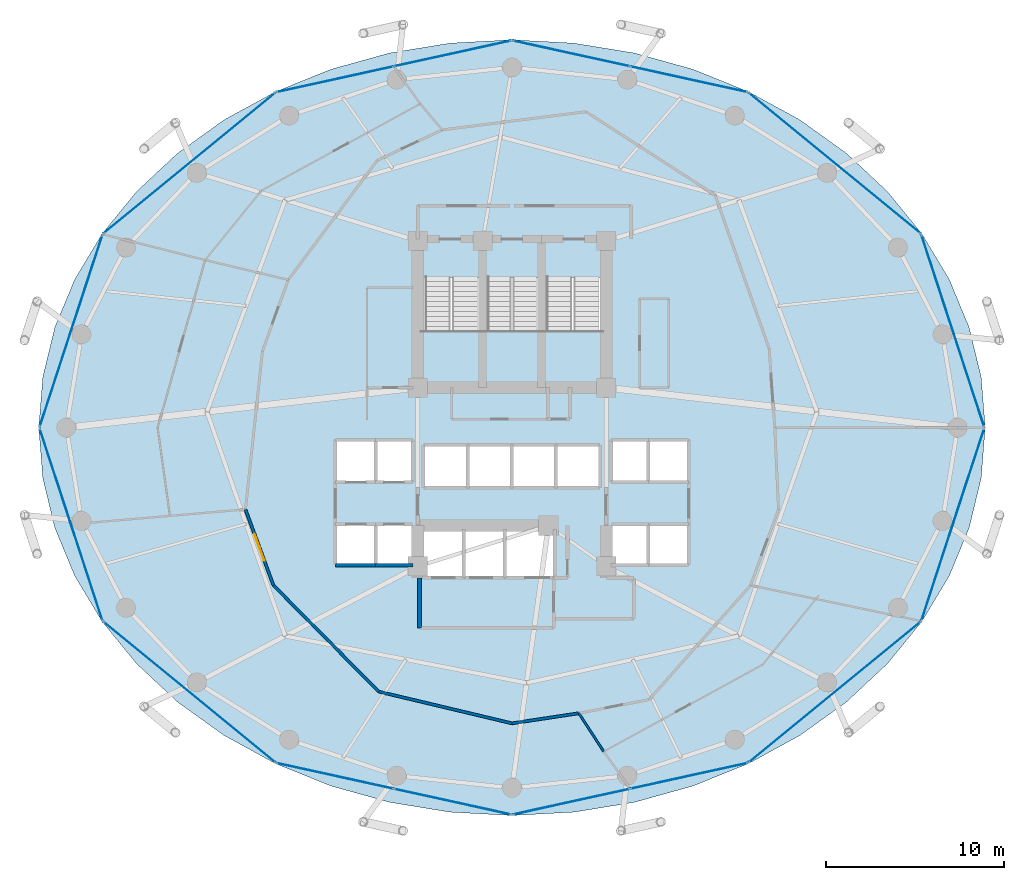
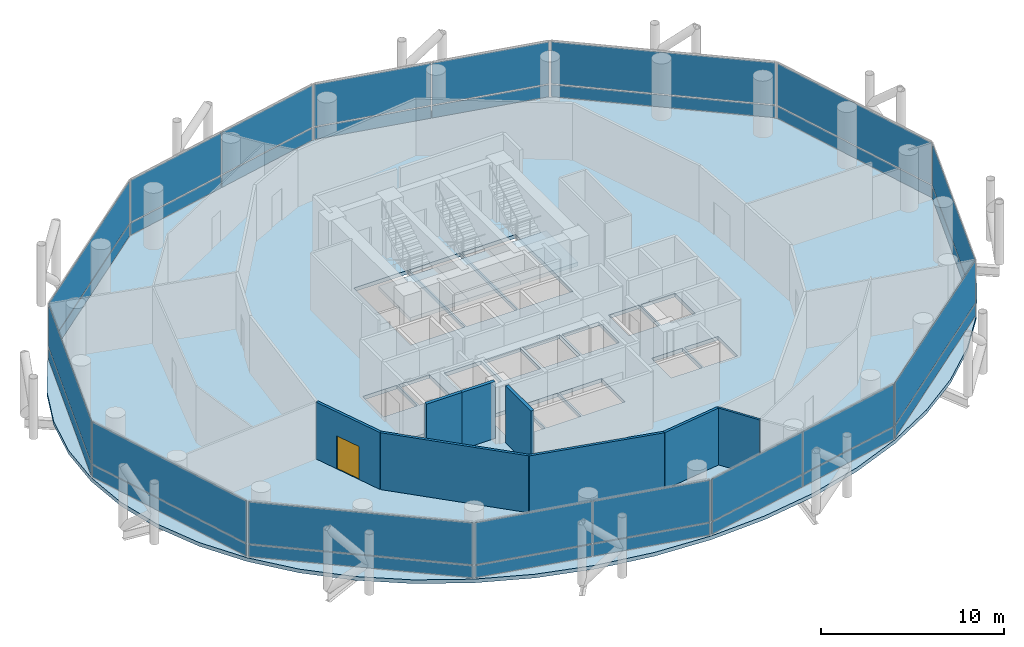
# One storey, part 20 of 24: 32 plates, 8 walls, 4 slabs, 1 door, 1 opening, 15 elements without a shape of their own.
"""IFC4 building model written with IfcOpenShell, lengths in metres."""

from ifc_helpers import new_model, si_unit, direction, frame, frame_2d, origin, origin_2d, place, context, subcontext, project, spatial, polyline, rectangle, outline, extrude, material, layer, layer_set, type_object, element, fill, aggregate, save


model = new_model("IFC4")

# Units and contexts
model_context = context("Model", 3, precision=1e-05, world=origin(), true_north=direction((0.0, 1.0)))
body_context = subcontext(model_context, "Body", "Model", "MODEL_VIEW")
ifc_project = project(units=[si_unit("LENGTHUNIT", "METRE"), si_unit("AREAUNIT", "SQUARE_METRE"), si_unit("VOLUMEUNIT", "CUBIC_METRE"), si_unit("PLANEANGLEUNIT", "RADIAN"), si_unit("MASSUNIT", "GRAM", prefix="KILO")], contexts=[model_context])

# Site, building, storey
site_placement = place(None, origin())
site = spatial("IfcSite", under=ifc_project, at=site_placement, CompositionType="ELEMENT")
building_placement = place(site_placement, origin())
building = spatial("IfcBuilding", under=site, at=building_placement, Name="Nuhasar Tower", CompositionType="ELEMENT")
storey_placement = place(building_placement, frame((0.0, 0.0, 81.75)))
storey = spatial("IfcBuildingStorey", under=building, at=storey_placement, Name="L19", CompositionType="ELEMENT", Elevation=81.75)

# Curtain wall, plate
ifc_material_1 = material(Name="Aluminium 6063-T6", Category="aluminium")
ifc_layer_1 = layer(ifc_material_1, 0.199951171875)
ifc_layer_set_1 = layer_set([ifc_layer_1], Name="Aluminium 6063-T6")
curtain_wall_type = type_object("IfcCurtainWallType", Name="CW-Z1-OFF", PredefinedType="NOTDEFINED", material=ifc_layer_set_1)
curtain_wall_1_placement = place(storey_placement, origin())
curtain_wall_1 = element("IfcCurtainWall", 1, at=curtain_wall_1_placement, inside=storey, type_object=curtain_wall_type, Name="L19 Unitised Curtain Wall 01", PredefinedType="NOTDEFINED")
ifc_material_2 = material(Name="Glass Double Low-E", Category="glass")
ifc_layer_2 = layer(ifc_material_2, 0.028076171875)
ifc_layer_set_2 = layer_set([ifc_layer_2], Name="Glass Double Low-E")
plate_type_1 = type_object("IfcPlateType", Name="CW-PANEL-GLZ", PredefinedType="CURTAIN_PANEL", material=ifc_layer_set_2)
plate_1_placement = place(storey_placement, frame((63.781005859375, 32.239990234375, 0.9326171875), z_axis=(0.0, 0.0, 1.0), x_axis=(-0.310823849997, 0.950467534571, 0.0)))
plate_1 = element("IfcPlate", 2, at=plate_1_placement, type_object=plate_type_1, Name="CW-Z1 panel 1.2", PredefinedType="CURTAIN_PANEL", context=body_context, shape_type="SweptSolid", body=[
    extrude(rectangle(XDim=11.31689453125, YDim=0.028076171875, at=origin_2d()), origin(), (0.0, 0.0, 1.0), 2.802490234375),
])

curtain_wall_2_placement = place(storey_placement, origin())
curtain_wall_2 = element("IfcCurtainWall", 3, at=curtain_wall_2_placement, inside=storey, type_object=curtain_wall_type, Name="L19 Unitised Curtain Wall 02", PredefinedType="NOTDEFINED")
plate_2_placement = place(storey_placement, frame((57.14111328125, 41.66259765625, 0.9326171875), z_axis=(0.0, 0.0, 1.0), x_axis=(-0.773542364946, 0.633744593376, 0.0)))
plate_2 = element("IfcPlate", 4, at=plate_2_placement, type_object=plate_type_1, Name="CW-Z1 panel 1.2", PredefinedType="CURTAIN_PANEL", context=body_context, shape_type="SweptSolid", body=[
    extrude(rectangle(XDim=12.438232421875, YDim=0.028076171875, at=origin_2d()), origin(), (0.0, 0.0, 1.0), 2.802490234375),
])

# Curtain wall, plates
curtain_wall_3_placement = place(storey_placement, origin())
curtain_wall_3 = element("IfcCurtainWall", 5, at=curtain_wall_3_placement, inside=storey, type_object=curtain_wall_type, Name="L19 Unitised Curtain Wall 03", PredefinedType="NOTDEFINED")
plate_3_placement = place(storey_placement, frame((48.944091796875, 46.377197265625, 0.9326171875), z_axis=(0.0, 0.0, 1.0), x_axis=(-0.976746221544, 0.214398737637, 0.0)))
plate_3 = element("IfcPlate", 6, at=plate_3_placement, type_object=plate_type_1, Name="CW-Z1 panel 1.2", PredefinedType="CURTAIN_PANEL", context=body_context, shape_type="SweptSolid", body=[
    extrude(rectangle(XDim=6.70068359375, YDim=0.028076171875, at=origin_2d()), origin(), (0.0, 0.0, 1.0), 2.802490234375),
])
plate_4_placement = place(storey_placement, frame((42.3359375, 47.827880859375, 0.9326171875), z_axis=(0.0, 0.0, 1.0), x_axis=(-0.976746221544, 0.214398737637, 0.0)))
plate_4 = element("IfcPlate", 7, at=plate_4_placement, type_object=plate_type_1, Name="CW-Z1 panel 2.2", PredefinedType="CURTAIN_PANEL", context=body_context, shape_type="SweptSolid", body=[
    extrude(rectangle(XDim=6.70068359375, YDim=0.028076171875, at=origin_2d()), origin(), (0.0, 0.0, 1.0), 2.802490234375),
])

curtain_wall_4_placement = place(storey_placement, origin())
curtain_wall_4 = element("IfcCurtainWall", 8, at=curtain_wall_4_placement, inside=storey, type_object=curtain_wall_type, Name="L19 Unitised Curtain Wall 04", PredefinedType="NOTDEFINED")
plate_5_placement = place(storey_placement, frame((35.6640625, 47.827880859375, 0.9326171875), z_axis=(0.0, 0.0, 1.0), x_axis=(-0.976746221544, -0.214398737637, 0.0)))
plate_5 = element("IfcPlate", 9, at=plate_5_placement, type_object=plate_type_1, Name="CW-Z1 panel 1.2", PredefinedType="CURTAIN_PANEL", context=body_context, shape_type="SweptSolid", body=[
    extrude(rectangle(XDim=6.70068359375, YDim=0.028076171875, at=origin_2d()), origin(), (0.0, 0.0, 1.0), 2.802490234375),
])
plate_6_placement = place(storey_placement, frame((29.055908203125, 46.377197265625, 0.9326171875), z_axis=(0.0, 0.0, 1.0), x_axis=(-0.976746221544, -0.214398737637, 0.0)))
plate_6 = element("IfcPlate", 10, at=plate_6_placement, type_object=plate_type_1, Name="CW-Z1 panel 2.2", PredefinedType="CURTAIN_PANEL", context=body_context, shape_type="SweptSolid", body=[
    extrude(rectangle(XDim=6.70068359375, YDim=0.028076171875, at=origin_2d()), origin(), (0.0, 0.0, 1.0), 2.802490234375),
])

# Curtain wall, plate
curtain_wall_5_placement = place(storey_placement, origin())
curtain_wall_5 = element("IfcCurtainWall", 11, at=curtain_wall_5_placement, inside=storey, type_object=curtain_wall_type, Name="L19 Unitised Curtain Wall 05", PredefinedType="NOTDEFINED")
plate_7_placement = place(storey_placement, frame((20.85888671875, 41.66259765625, 0.9326171875), z_axis=(0.0, 0.0, 1.0), x_axis=(-0.773542364946, -0.633744593376, 0.0)))
plate_7 = element("IfcPlate", 12, at=plate_7_placement, type_object=plate_type_1, Name="CW-Z1 panel 1.2", PredefinedType="CURTAIN_PANEL", context=body_context, shape_type="SweptSolid", body=[
    extrude(rectangle(XDim=12.438232421875, YDim=0.028076171875, at=origin_2d()), origin(), (0.0, 0.0, 1.0), 2.802490234375),
])

curtain_wall_6_placement = place(storey_placement, origin())
curtain_wall_6 = element("IfcCurtainWall", 13, at=curtain_wall_6_placement, inside=storey, type_object=curtain_wall_type, Name="L19 Unitised Curtain Wall 06", PredefinedType="NOTDEFINED")
plate_8_placement = place(storey_placement, frame((14.218994140625, 32.239990234375, 0.9326171875), z_axis=(0.0, 0.0, 1.0), x_axis=(-0.310823849997, -0.950467534571, 0.0)))
plate_8 = element("IfcPlate", 14, at=plate_8_placement, type_object=plate_type_1, Name="CW-Z1 panel 1.2", PredefinedType="CURTAIN_PANEL", context=body_context, shape_type="SweptSolid", body=[
    extrude(rectangle(XDim=11.31689453125, YDim=0.028076171875, at=origin_2d()), origin(), (0.0, 0.0, 1.0), 2.802490234375),
])

curtain_wall_7_placement = place(storey_placement, origin())
curtain_wall_7 = element("IfcCurtainWall", 15, at=curtain_wall_7_placement, inside=storey, type_object=curtain_wall_type, Name="L19 Unitised Curtain Wall 07", PredefinedType="NOTDEFINED")
plate_9_placement = place(storey_placement, frame((14.218994140625, 21.360107421875, 0.9326171875), z_axis=(0.0, 0.0, 1.0), x_axis=(0.310823849997, -0.950467534571, 0.0)))
plate_9 = element("IfcPlate", 16, at=plate_9_placement, type_object=plate_type_1, Name="CW-Z1 panel 1.2", PredefinedType="CURTAIN_PANEL", context=body_context, shape_type="SweptSolid", body=[
    extrude(rectangle(XDim=11.31689453125, YDim=0.028076171875, at=origin_2d()), origin(), (0.0, 0.0, 1.0), 2.802490234375),
])

curtain_wall_8_placement = place(storey_placement, origin())
curtain_wall_8 = element("IfcCurtainWall", 17, at=curtain_wall_8_placement, inside=storey, type_object=curtain_wall_type, Name="L19 Unitised Curtain Wall 08", PredefinedType="NOTDEFINED")
plate_10_placement = place(storey_placement, frame((20.85888671875, 11.9375, 0.9326171875), z_axis=(0.0, 0.0, 1.0), x_axis=(0.773542364946, -0.633744593376, 0.0)))
plate_10 = element("IfcPlate", 18, at=plate_10_placement, type_object=plate_type_1, Name="CW-Z1 panel 1.2", PredefinedType="CURTAIN_PANEL", context=body_context, shape_type="SweptSolid", body=[
    extrude(rectangle(XDim=12.438232421875, YDim=0.028076171875, at=origin_2d()), origin(), (0.0, 0.0, 1.0), 2.802490234375),
])

# Curtain wall, plates
curtain_wall_9_placement = place(storey_placement, origin())
curtain_wall_9 = element("IfcCurtainWall", 19, at=curtain_wall_9_placement, inside=storey, type_object=curtain_wall_type, Name="L19 Unitised Curtain Wall 09", PredefinedType="NOTDEFINED")
plate_11_placement = place(storey_placement, frame((29.055908203125, 7.22265625, 0.9326171875), z_axis=(0.0, 0.0, 1.0), x_axis=(0.976746221544, -0.214398737637, 0.0)))
plate_11 = element("IfcPlate", 20, at=plate_11_placement, type_object=plate_type_1, Name="CW-Z1 panel 1.2", PredefinedType="CURTAIN_PANEL", context=body_context, shape_type="SweptSolid", body=[
    extrude(rectangle(XDim=6.70068359375, YDim=0.028076171875, at=origin_2d()), origin(), (0.0, 0.0, 1.0), 2.802490234375),
])
plate_12_placement = place(storey_placement, frame((35.6640625, 5.772216796875, 0.9326171875), z_axis=(0.0, 0.0, 1.0), x_axis=(0.976746221544, -0.214398737637, 0.0)))
plate_12 = element("IfcPlate", 21, at=plate_12_placement, type_object=plate_type_1, Name="CW-Z1 panel 2.2", PredefinedType="CURTAIN_PANEL", context=body_context, shape_type="SweptSolid", body=[
    extrude(rectangle(XDim=6.70068359375, YDim=0.028076171875, at=origin_2d()), origin(), (0.0, 0.0, 1.0), 2.802490234375),
])

curtain_wall_10_placement = place(storey_placement, origin())
curtain_wall_10 = element("IfcCurtainWall", 22, at=curtain_wall_10_placement, inside=storey, type_object=curtain_wall_type, Name="L19 Unitised Curtain Wall 10", PredefinedType="NOTDEFINED")
plate_13_placement = place(storey_placement, frame((42.3359375, 5.772216796875, 0.9326171875), z_axis=(0.0, 0.0, 1.0), x_axis=(0.976746221544, 0.214398737637, 0.0)))
plate_13 = element("IfcPlate", 23, at=plate_13_placement, type_object=plate_type_1, Name="CW-Z1 panel 1.2", PredefinedType="CURTAIN_PANEL", context=body_context, shape_type="SweptSolid", body=[
    extrude(rectangle(XDim=6.70068359375, YDim=0.028076171875, at=origin_2d()), origin(), (0.0, 0.0, 1.0), 2.802490234375),
])
plate_14_placement = place(storey_placement, frame((48.944091796875, 7.22265625, 0.9326171875), z_axis=(0.0, 0.0, 1.0), x_axis=(0.976746221544, 0.214398737637, 0.0)))
plate_14 = element("IfcPlate", 24, at=plate_14_placement, type_object=plate_type_1, Name="CW-Z1 panel 2.2", PredefinedType="CURTAIN_PANEL", context=body_context, shape_type="SweptSolid", body=[
    extrude(rectangle(XDim=6.70068359375, YDim=0.028076171875, at=origin_2d()), origin(), (0.0, 0.0, 1.0), 2.802490234375),
])

# Curtain wall, plate
curtain_wall_11_placement = place(storey_placement, origin())
curtain_wall_11 = element("IfcCurtainWall", 25, at=curtain_wall_11_placement, inside=storey, type_object=curtain_wall_type, Name="L19 Unitised Curtain Wall 11", PredefinedType="NOTDEFINED")
plate_15_placement = place(storey_placement, frame((57.14111328125, 11.9375, 0.9326171875), z_axis=(0.0, 0.0, 1.0), x_axis=(0.773542364946, 0.633744593376, 0.0)))
plate_15 = element("IfcPlate", 26, at=plate_15_placement, type_object=plate_type_1, Name="CW-Z1 panel 1.2", PredefinedType="CURTAIN_PANEL", context=body_context, shape_type="SweptSolid", body=[
    extrude(rectangle(XDim=12.438232421875, YDim=0.028076171875, at=origin_2d()), origin(), (0.0, 0.0, 1.0), 2.802490234375),
])

curtain_wall_12_placement = place(storey_placement, origin())
curtain_wall_12 = element("IfcCurtainWall", 27, at=curtain_wall_12_placement, inside=storey, type_object=curtain_wall_type, Name="L19 Unitised Curtain Wall 12", PredefinedType="NOTDEFINED")
plate_16_placement = place(storey_placement, frame((63.781005859375, 21.360107421875, 0.9326171875), z_axis=(0.0, 0.0, 1.0), x_axis=(0.310823849997, 0.950467534571, 0.0)))
plate_16 = element("IfcPlate", 28, at=plate_16_placement, type_object=plate_type_1, Name="CW-Z1 panel 1.2", PredefinedType="CURTAIN_PANEL", context=body_context, shape_type="SweptSolid", body=[
    extrude(rectangle(XDim=11.31689453125, YDim=0.028076171875, at=origin_2d()), origin(), (0.0, 0.0, 1.0), 2.802490234375),
])

# Plate
ifc_material_3 = material(Name="Glass Spandrel", Category="glass")
ifc_layer_3 = layer(ifc_material_3, 0.035888671875)
ifc_layer_set_3 = layer_set([ifc_layer_3], Name="Glass Spandrel")
plate_type_2 = type_object("IfcPlateType", Name="CW-PANEL-SPN", PredefinedType="CURTAIN_PANEL", material=ifc_layer_set_3)
plate_17_placement = place(storey_placement, frame((63.781005859375, 32.239990234375, 0.06494140625), z_axis=(0.0, 0.0, 1.0), x_axis=(-0.310823849997, 0.950467534571, 0.0)))
plate_17 = element("IfcPlate", 29, at=plate_17_placement, type_object=plate_type_2, Name="CW-Z1 panel 1.1", PredefinedType="CURTAIN_PANEL", context=body_context, shape_type="SweptSolid", body=[
    extrude(rectangle(XDim=11.31689453125, YDim=0.035888671875, at=origin_2d()), origin(), (0.0, 0.0, 1.0), 0.802490234375),
])

aggregate(curtain_wall_1, [plate_17, plate_1])

plate_18_placement = place(storey_placement, frame((57.14111328125, 41.66259765625, 0.06494140625), z_axis=(0.0, 0.0, 1.0), x_axis=(-0.773542364946, 0.633744593376, 0.0)))
plate_18 = element("IfcPlate", 30, at=plate_18_placement, type_object=plate_type_2, Name="CW-Z1 panel 1.1", PredefinedType="CURTAIN_PANEL", context=body_context, shape_type="SweptSolid", body=[
    extrude(rectangle(XDim=12.438232421875, YDim=0.035888671875, at=origin_2d()), origin(), (0.0, 0.0, 1.0), 0.802490234375),
])

aggregate(curtain_wall_2, [plate_18, plate_2])

plate_19_placement = place(storey_placement, frame((48.944091796875, 46.377197265625, 0.06494140625), z_axis=(0.0, 0.0, 1.0), x_axis=(-0.976746221544, 0.214398737637, 0.0)))
plate_19 = element("IfcPlate", 31, at=plate_19_placement, type_object=plate_type_2, Name="CW-Z1 panel 1.1", PredefinedType="CURTAIN_PANEL", context=body_context, shape_type="SweptSolid", body=[
    extrude(rectangle(XDim=6.70068359375, YDim=0.035888671875, at=origin_2d()), origin(), (0.0, 0.0, 1.0), 0.802490234375),
])

plate_20_placement = place(storey_placement, frame((42.3359375, 47.827880859375, 0.06494140625), z_axis=(0.0, 0.0, 1.0), x_axis=(-0.976746221544, 0.214398737637, 0.0)))
plate_20 = element("IfcPlate", 32, at=plate_20_placement, type_object=plate_type_2, Name="CW-Z1 panel 2.1", PredefinedType="CURTAIN_PANEL", context=body_context, shape_type="SweptSolid", body=[
    extrude(rectangle(XDim=6.70068359375, YDim=0.035888671875, at=origin_2d()), origin(), (0.0, 0.0, 1.0), 0.802490234375),
])

aggregate(curtain_wall_3, [plate_19, plate_3, plate_20, plate_4])

plate_21_placement = place(storey_placement, frame((35.6640625, 47.827880859375, 0.06494140625), z_axis=(0.0, 0.0, 1.0), x_axis=(-0.976746221544, -0.214398737637, 0.0)))
plate_21 = element("IfcPlate", 33, at=plate_21_placement, type_object=plate_type_2, Name="CW-Z1 panel 1.1", PredefinedType="CURTAIN_PANEL", context=body_context, shape_type="SweptSolid", body=[
    extrude(rectangle(XDim=6.70068359375, YDim=0.035888671875, at=origin_2d()), origin(), (0.0, 0.0, 1.0), 0.802490234375),
])

plate_22_placement = place(storey_placement, frame((29.055908203125, 46.377197265625, 0.06494140625), z_axis=(0.0, 0.0, 1.0), x_axis=(-0.976746221544, -0.214398737637, 0.0)))
plate_22 = element("IfcPlate", 34, at=plate_22_placement, type_object=plate_type_2, Name="CW-Z1 panel 2.1", PredefinedType="CURTAIN_PANEL", context=body_context, shape_type="SweptSolid", body=[
    extrude(rectangle(XDim=6.70068359375, YDim=0.035888671875, at=origin_2d()), origin(), (0.0, 0.0, 1.0), 0.802490234375),
])

aggregate(curtain_wall_4, [plate_21, plate_5, plate_22, plate_6])

plate_23_placement = place(storey_placement, frame((20.85888671875, 41.66259765625, 0.06494140625), z_axis=(0.0, 0.0, 1.0), x_axis=(-0.773542364946, -0.633744593376, 0.0)))
plate_23 = element("IfcPlate", 35, at=plate_23_placement, type_object=plate_type_2, Name="CW-Z1 panel 1.1", PredefinedType="CURTAIN_PANEL", context=body_context, shape_type="SweptSolid", body=[
    extrude(rectangle(XDim=12.438232421875, YDim=0.035888671875, at=origin_2d()), origin(), (0.0, 0.0, 1.0), 0.802490234375),
])

aggregate(curtain_wall_5, [plate_23, plate_7])

plate_24_placement = place(storey_placement, frame((14.218994140625, 32.239990234375, 0.06494140625), z_axis=(0.0, 0.0, 1.0), x_axis=(-0.310823849997, -0.950467534571, 0.0)))
plate_24 = element("IfcPlate", 36, at=plate_24_placement, type_object=plate_type_2, Name="CW-Z1 panel 1.1", PredefinedType="CURTAIN_PANEL", context=body_context, shape_type="SweptSolid", body=[
    extrude(rectangle(XDim=11.31689453125, YDim=0.035888671875, at=origin_2d()), origin(), (0.0, 0.0, 1.0), 0.802490234375),
])

aggregate(curtain_wall_6, [plate_24, plate_8])

plate_25_placement = place(storey_placement, frame((14.218994140625, 21.360107421875, 0.06494140625), z_axis=(0.0, 0.0, 1.0), x_axis=(0.310823849997, -0.950467534571, 0.0)))
plate_25 = element("IfcPlate", 37, at=plate_25_placement, type_object=plate_type_2, Name="CW-Z1 panel 1.1", PredefinedType="CURTAIN_PANEL", context=body_context, shape_type="SweptSolid", body=[
    extrude(rectangle(XDim=11.31689453125, YDim=0.035888671875, at=origin_2d()), origin(), (0.0, 0.0, 1.0), 0.802490234375),
])

aggregate(curtain_wall_7, [plate_25, plate_9])

plate_26_placement = place(storey_placement, frame((20.85888671875, 11.9375, 0.06494140625), z_axis=(0.0, 0.0, 1.0), x_axis=(0.773542364946, -0.633744593376, 0.0)))
plate_26 = element("IfcPlate", 38, at=plate_26_placement, type_object=plate_type_2, Name="CW-Z1 panel 1.1", PredefinedType="CURTAIN_PANEL", context=body_context, shape_type="SweptSolid", body=[
    extrude(rectangle(XDim=12.438232421875, YDim=0.035888671875, at=origin_2d()), origin(), (0.0, 0.0, 1.0), 0.802490234375),
])

aggregate(curtain_wall_8, [plate_26, plate_10])

plate_27_placement = place(storey_placement, frame((29.055908203125, 7.22265625, 0.06494140625), z_axis=(0.0, 0.0, 1.0), x_axis=(0.976746221544, -0.214398737637, 0.0)))
plate_27 = element("IfcPlate", 39, at=plate_27_placement, type_object=plate_type_2, Name="CW-Z1 panel 1.1", PredefinedType="CURTAIN_PANEL", context=body_context, shape_type="SweptSolid", body=[
    extrude(rectangle(XDim=6.70068359375, YDim=0.035888671875, at=origin_2d()), origin(), (0.0, 0.0, 1.0), 0.802490234375),
])

plate_28_placement = place(storey_placement, frame((35.6640625, 5.772216796875, 0.06494140625), z_axis=(0.0, 0.0, 1.0), x_axis=(0.976746221544, -0.214398737637, 0.0)))
plate_28 = element("IfcPlate", 40, at=plate_28_placement, type_object=plate_type_2, Name="CW-Z1 panel 2.1", PredefinedType="CURTAIN_PANEL", context=body_context, shape_type="SweptSolid", body=[
    extrude(rectangle(XDim=6.70068359375, YDim=0.035888671875, at=origin_2d()), origin(), (0.0, 0.0, 1.0), 0.802490234375),
])

aggregate(curtain_wall_9, [plate_27, plate_11, plate_28, plate_12])

plate_29_placement = place(storey_placement, frame((42.3359375, 5.772216796875, 0.06494140625), z_axis=(0.0, 0.0, 1.0), x_axis=(0.976746221544, 0.214398737637, 0.0)))
plate_29 = element("IfcPlate", 41, at=plate_29_placement, type_object=plate_type_2, Name="CW-Z1 panel 1.1", PredefinedType="CURTAIN_PANEL", context=body_context, shape_type="SweptSolid", body=[
    extrude(rectangle(XDim=6.70068359375, YDim=0.035888671875, at=origin_2d()), origin(), (0.0, 0.0, 1.0), 0.802490234375),
])

plate_30_placement = place(storey_placement, frame((48.944091796875, 7.22265625, 0.06494140625), z_axis=(0.0, 0.0, 1.0), x_axis=(0.976746221544, 0.214398737637, 0.0)))
plate_30 = element("IfcPlate", 42, at=plate_30_placement, type_object=plate_type_2, Name="CW-Z1 panel 2.1", PredefinedType="CURTAIN_PANEL", context=body_context, shape_type="SweptSolid", body=[
    extrude(rectangle(XDim=6.70068359375, YDim=0.035888671875, at=origin_2d()), origin(), (0.0, 0.0, 1.0), 0.802490234375),
])

aggregate(curtain_wall_10, [plate_29, plate_13, plate_30, plate_14])

plate_31_placement = place(storey_placement, frame((57.14111328125, 11.9375, 0.06494140625), z_axis=(0.0, 0.0, 1.0), x_axis=(0.773542364946, 0.633744593376, 0.0)))
plate_31 = element("IfcPlate", 43, at=plate_31_placement, type_object=plate_type_2, Name="CW-Z1 panel 1.1", PredefinedType="CURTAIN_PANEL", context=body_context, shape_type="SweptSolid", body=[
    extrude(rectangle(XDim=12.438232421875, YDim=0.035888671875, at=origin_2d()), origin(), (0.0, 0.0, 1.0), 0.802490234375),
])

aggregate(curtain_wall_11, [plate_31, plate_15])

plate_32_placement = place(storey_placement, frame((63.781005859375, 21.360107421875, 0.06494140625), z_axis=(0.0, 0.0, 1.0), x_axis=(0.310823849997, 0.950467534571, 0.0)))
plate_32 = element("IfcPlate", 44, at=plate_32_placement, type_object=plate_type_2, Name="CW-Z1 panel 1.1", PredefinedType="CURTAIN_PANEL", context=body_context, shape_type="SweptSolid", body=[
    extrude(rectangle(XDim=11.31689453125, YDim=0.035888671875, at=origin_2d()), origin(), (0.0, 0.0, 1.0), 0.802490234375),
])

aggregate(curtain_wall_12, [plate_32, plate_16])

# Stair, slab
ifc_material_4 = material(Name="Concrete C45/55", Category="concrete")
stair_type_1 = type_object("IfcStairType", Name="STR-ST-01-2F-24R-1688", PredefinedType="HALF_TURN_STAIR", material=ifc_material_4)
stair_1_placement = place(storey_placement, origin())
stair_1 = element("IfcStair", 45, at=stair_1_placement, inside=storey, type_object=stair_type_1, Name="L19 Exit Stair ST-01", PredefinedType="HALF_TURN_STAIR")
ifc_layer_4 = layer(ifc_material_4, 0.239990234375)
ifc_layer_set_4 = layer_set([ifc_layer_4], Name="Concrete C45/55")
slab_type_1 = type_object("IfcSlabType", Name="SLB-STAIR-LND-240", PredefinedType="LANDING", material=ifc_layer_set_4)
slab_1_placement = place(storey_placement, frame((0.0, 0.0, 1.784912109375)))
slab_1 = element("IfcSlab", 46, at=slab_1_placement, type_object=slab_type_1, Name="ST-01 landing 1", PredefinedType="LANDING", context=body_context, shape_type="SweptSolid", body=[
    extrude(outline(polyline([(33.699951171875, 28.75), (37.35009765625, 28.75), (37.35009765625, 32.239990234375), (33.699951171875, 32.239990234375), (33.699951171875, 28.75)])), origin(), (0.0, 0.0, 1.0), 0.239990234375),
])
aggregate(stair_1, [slab_1])

stair_type_2 = type_object("IfcStairType", Name="STR-ST-03-2F-24R-1688", PredefinedType="HALF_TURN_STAIR", material=ifc_material_4)
stair_2_placement = place(storey_placement, origin())
stair_2 = element("IfcStair", 47, at=stair_2_placement, inside=storey, type_object=stair_type_2, Name="L19 Exit Stair ST-03", PredefinedType="HALF_TURN_STAIR")
slab_2_placement = place(storey_placement, frame((0.0, 0.0, 1.784912109375)))
slab_2 = element("IfcSlab", 48, at=slab_2_placement, type_object=slab_type_1, Name="ST-03 landing 1", PredefinedType="LANDING", context=body_context, shape_type="SweptSolid", body=[
    extrude(outline(polyline([(37.35009765625, 28.75), (40.64990234375, 28.75), (40.64990234375, 32.239990234375), (37.35009765625, 32.239990234375), (37.35009765625, 28.75)])), origin(), (0.0, 0.0, 1.0), 0.239990234375),
])
aggregate(stair_2, [slab_2])

stair_type_3 = type_object("IfcStairType", Name="STR-ST-02-2F-24R-1688", PredefinedType="HALF_TURN_STAIR", material=ifc_material_4)
stair_3_placement = place(storey_placement, origin())
stair_3 = element("IfcStair", 49, at=stair_3_placement, inside=storey, type_object=stair_type_3, Name="L19 Exit Stair ST-02", PredefinedType="HALF_TURN_STAIR")
slab_3_placement = place(storey_placement, frame((0.0, 0.0, 1.784912109375)))
slab_3 = element("IfcSlab", 50, at=slab_3_placement, type_object=slab_type_1, Name="ST-02 landing 1", PredefinedType="LANDING", context=body_context, shape_type="SweptSolid", body=[
    extrude(outline(polyline([(40.64990234375, 28.75), (44.300048828125, 28.75), (44.300048828125, 32.239990234375), (40.64990234375, 32.239990234375), (40.64990234375, 28.75)])), origin(), (0.0, 0.0, 1.0), 0.239990234375),
])
aggregate(stair_3, [slab_3])

# Slab
ifc_layer_5 = layer(ifc_material_4, 0.25)
ifc_layer_set_5 = layer_set([ifc_layer_5], Name="Concrete C45/55")
slab_type_2 = type_object("IfcSlabType", Name="SLB-Z1B-250", PredefinedType="FLOOR", material=ifc_layer_set_5)
slab_4_placement = place(storey_placement, frame((0.0, 0.0, -0.25)))
element("IfcSlab", 51, at=slab_4_placement, inside=storey, type_object=slab_type_2, Name="L19 Structural Slab", PredefinedType="FLOOR", context=body_context, shape_type="SweptSolid", body=[
    extrude(outline(polyline([(65.60009765625, 26.800048828125), (65.3720703125, 29.64501953125), (64.694091796875, 32.44189453125), (63.574951171875, 35.14208984375), (62.035888671875, 37.699951171875), (60.10302734375, 40.071044921875), (57.80908203125, 42.215087890625), (55.193115234375, 44.094970703125), (52.300048828125, 45.678955078125), (49.178955078125, 46.94091796875), (45.885009765625, 47.85693359375), (42.471923828125, 48.4130859375), (39.0, 48.60009765625), (35.528076171875, 48.4130859375), (32.114990234375, 47.85693359375), (28.821044921875, 46.94091796875), (25.699951171875, 45.678955078125), (22.806884765625, 44.094970703125), (20.19091796875, 42.215087890625), (17.89697265625, 40.071044921875), (15.964111328125, 37.699951171875), (14.425048828125, 35.14208984375), (13.305908203125, 32.44189453125), (12.6279296875, 29.64501953125), (12.39990234375, 26.800048828125), (12.6279296875, 23.955078125), (13.305908203125, 21.157958984375), (14.425048828125, 18.4580078125), (15.964111328125, 15.89990234375), (17.89697265625, 13.529052734375), (20.19091796875, 11.385009765625), (22.806884765625, 9.5048828125), (25.699951171875, 7.9208984375), (28.821044921875, 6.658935546875), (32.114990234375, 5.742919921875), (35.528076171875, 5.18701171875), (39.0, 5.0), (42.471923828125, 5.18701171875), (45.885009765625, 5.742919921875), (49.178955078125, 6.658935546875), (52.300048828125, 7.9208984375), (55.193115234375, 9.5048828125), (57.80908203125, 11.385009765625), (60.10302734375, 13.529052734375), (62.035888671875, 15.89990234375), (63.574951171875, 18.4580078125), (64.694091796875, 21.157958984375), (65.3720703125, 23.955078125), (65.60009765625, 26.800048828125)]), holes=[polyline([(33.8798828125, 35.25), (37.300048828125, 35.25), (37.300048828125, 29.0), (33.8798828125, 29.0), (33.8798828125, 35.25)]), polyline([(37.39990234375, 35.25), (40.60009765625, 35.25), (40.60009765625, 29.0), (37.39990234375, 29.0), (37.39990234375, 35.25)]), polyline([(40.699951171875, 35.25), (44.1201171875, 35.25), (44.1201171875, 29.0), (40.699951171875, 29.0), (40.699951171875, 35.25)]), polyline([(29.14990234375, 26.050048828125), (31.300048828125, 26.050048828125), (31.300048828125, 23.800048828125), (29.14990234375, 23.800048828125), (29.14990234375, 26.050048828125)]), polyline([(31.39990234375, 26.050048828125), (33.35009765625, 26.050048828125), (33.35009765625, 23.800048828125), (31.39990234375, 23.800048828125), (31.39990234375, 26.050048828125)]), polyline([(29.14990234375, 21.300048828125), (31.300048828125, 21.300048828125), (31.300048828125, 19.14990234375), (29.14990234375, 19.14990234375), (29.14990234375, 21.300048828125)]), polyline([(31.39990234375, 21.300048828125), (33.35009765625, 21.300048828125), (33.35009765625, 19.14990234375), (31.39990234375, 19.14990234375), (31.39990234375, 21.300048828125)]), polyline([(44.64990234375, 26.050048828125), (46.60009765625, 26.050048828125), (46.60009765625, 23.800048828125), (44.64990234375, 23.800048828125), (44.64990234375, 26.050048828125)]), polyline([(46.699951171875, 26.050048828125), (48.85009765625, 26.050048828125), (48.85009765625, 23.800048828125), (46.699951171875, 23.800048828125), (46.699951171875, 26.050048828125)]), polyline([(44.64990234375, 21.300048828125), (46.60009765625, 21.300048828125), (46.60009765625, 19.14990234375), (44.64990234375, 19.14990234375), (44.64990234375, 21.300048828125)]), polyline([(46.699951171875, 21.300048828125), (48.85009765625, 21.300048828125), (48.85009765625, 19.14990234375), (46.699951171875, 19.14990234375), (46.699951171875, 21.300048828125)]), polyline([(34.10009765625, 25.75), (36.43994140625, 25.75), (36.43994140625, 23.5), (34.10009765625, 23.5), (34.10009765625, 25.75)]), polyline([(36.580078125, 25.75), (38.919921875, 25.75), (38.919921875, 23.5), (36.580078125, 23.5), (36.580078125, 25.75)]), polyline([(39.06005859375, 25.75), (41.39990234375, 25.75), (41.39990234375, 23.5), (39.06005859375, 23.5), (39.06005859375, 25.75)]), polyline([(41.5400390625, 25.75), (43.8798828125, 25.75), (43.8798828125, 23.5), (41.5400390625, 23.5), (41.5400390625, 25.75)]), polyline([(34.050048828125, 21.0), (36.25, 21.0), (36.25, 18.449951171875), (34.050048828125, 18.449951171875), (34.050048828125, 21.0)]), polyline([(36.35009765625, 21.0), (38.550048828125, 21.0), (38.550048828125, 18.449951171875), (36.35009765625, 18.449951171875), (36.35009765625, 21.0)]), polyline([(38.64990234375, 21.0), (41.320068359375, 21.0), (41.320068359375, 18.449951171875), (38.64990234375, 18.449951171875), (38.64990234375, 21.0)])]), origin(), (0.0, 0.0, 1.0), 0.25),
])

# Wall, opening, door
ifc_material_5 = material(Name="Gypsum Board", Category="gypsum")
ifc_layer_6 = layer(ifc_material_5, 0.159912109375)
ifc_layer_set_6 = layer_set([ifc_layer_6], Name="Gypsum Board")
wall_type_1 = type_object("IfcWallType", Name="WL-CORR-160", PredefinedType="PARTITIONING", material=ifc_layer_set_6)
wall_1_placement = place(storey_placement, frame((25.591064453125, 17.93896484375, 0.0), z_axis=(0.0, 0.0, 1.0), x_axis=(-0.345762592588, 0.938322028712, 0.0)))
wall_1 = element("IfcWall", 52, at=wall_1_placement, inside=storey, type_object=wall_type_1, Name="L19 Interior Partition CORR-26", PredefinedType="PARTITIONING", context=body_context, shape_type="SweptSolid", body=[
    extrude(rectangle(XDim=4.546630859375, YDim=0.159912109375, at=frame_2d((2.2734375, 0.0))), origin(), (0.0, 0.0, 1.0), 3.800048828125),
])
opening_placement = place(wall_1_placement, frame((1.472900390625, 0.0, 0.0)))
opening = element("IfcOpeningElement", 53, at=opening_placement, cuts=wall_1, Name="Opening DC-01", PredefinedType="OPENING", context=body_context, shape_type="SweptSolid", body=[
    extrude(rectangle(XDim=1.60009765625, YDim=2.199951171875, at=frame_2d((0.800048828125, 1.10009765625))), frame((0.0, 0.08984375, 0.0), z_axis=(0.0, -1.0, 0.0), x_axis=(1.0, 0.0, 0.0)), (0.0, 0.0, 1.0), 0.179931640625),
])
ifc_material_6 = material(Name="Steel S355", Category="steel")
door_type = type_object("IfcDoorType", Name="DR-CORR-FD60-1600", OperationType="DOUBLE_DOOR_SINGLE_SWING", PredefinedType="DOOR", material=ifc_material_6)
door_placement = place(opening_placement, origin())
door = element("IfcDoor", 54, at=door_placement, inside=storey, type_object=door_type, Name="L19 Consular Operations Hall Entry Door", OperationType="DOUBLE_DOOR_SINGLE_SWING", OverallHeight=2.199951171875, OverallWidth=1.60009765625, PredefinedType="DOOR", context=body_context, shape_type="SweptSolid", body=[
    extrude(rectangle(XDim=1.60009765625, YDim=2.199951171875, at=frame_2d((0.800048828125, 1.10009765625))), frame((0.0, 0.02490234375, 0.0), z_axis=(0.0, -1.0, 0.0), x_axis=(1.0, 0.0, 0.0)), (0.0, 0.0, 1.0), 0.050048828125),
])
fill(opening, door)

# Walls
wall_2_placement = place(storey_placement, frame((25.591064453125, 17.93896484375, 0.0), z_axis=(0.0, 0.0, 1.0), x_axis=(0.703879427374, -0.71031947159, 0.0)))
element("IfcWall", 55, at=wall_2_placement, inside=storey, type_object=wall_type_1, Name="L19 Interior Partition CORR-28", PredefinedType="PARTITIONING", context=body_context, shape_type="SweptSolid", body=[
    extrude(rectangle(XDim=8.416015625, YDim=0.159912109375, at=frame_2d((4.2080078125, 0.0))), origin(), (0.0, 0.0, 1.0), 3.800048828125),
])
wall_3_placement = place(storey_placement, frame((31.514892578125, 11.9609375, 0.0), z_axis=(0.0, 0.0, 1.0), x_axis=(0.972840250297, -0.231477531097, 0.0)))
element("IfcWall", 56, at=wall_3_placement, inside=storey, type_object=wall_type_1, Name="L19 Interior Partition CORR-32", PredefinedType="PARTITIONING", context=body_context, shape_type="SweptSolid", body=[
    extrude(rectangle(XDim=7.694091796875, YDim=0.159912109375, at=frame_2d((3.84716796875, 0.0))), origin(), (0.0, 0.0, 1.0), 3.800048828125),
])
wall_4_placement = place(storey_placement, frame((39.0, 10.179931640625, 0.0), z_axis=(0.0, 0.0, 1.0), x_axis=(0.988841440964, 0.148971824959, 0.0)))
element("IfcWall", 57, at=wall_4_placement, inside=storey, type_object=wall_type_1, Name="L19 Interior Partition CORR-36", PredefinedType="PARTITIONING", context=body_context, shape_type="SweptSolid", body=[
    extrude(rectangle(XDim=3.800537109375, YDim=0.159912109375, at=frame_2d((1.900390625, 0.0))), origin(), (0.0, 0.0, 1.0), 3.800048828125),
])
ifc_layer_7 = layer(ifc_material_4, 0.199951171875)
ifc_layer_set_7 = layer_set([ifc_layer_7], Name="Concrete C45/55")
wall_type_2 = type_object("IfcWallType", Name="WL-LOBBY-200", PredefinedType="SOLIDWALL", material=ifc_layer_set_7)
wall_5_placement = place(storey_placement, frame((33.800048828125, 15.550048828125, 0.0), z_axis=(0.0, 0.0, 1.0), x_axis=(0.0, 1.0, 0.0)))
element("IfcWall", 58, at=wall_5_placement, inside=storey, type_object=wall_type_2, Name="L19 Interior Partition FFL-W", PredefinedType="SOLIDWALL", context=body_context, shape_type="SweptSolid", body=[
    extrude(rectangle(XDim=2.800048828125, YDim=0.199951171875, at=frame_2d((1.39990234375, 0.0))), origin(), (0.0, 0.0, 1.0), 3.800048828125),
])
ifc_layer_8 = layer(ifc_material_5, 0.125)
ifc_layer_set_8 = layer_set([ifc_layer_8], Name="Gypsum Board")
wall_type_3 = type_object("IfcWallType", Name="WL-PART-125", PredefinedType="PARTITIONING", material=ifc_layer_set_8)
wall_6_placement = place(storey_placement, frame((42.758056640625, 10.74609375, 0.0), z_axis=(0.0, 0.0, 1.0), x_axis=(0.545165828581, -0.838328228886, 0.0)))
element("IfcWall", 59, at=wall_6_placement, inside=storey, type_object=wall_type_3, Name="L19 Interior Partition ORAD-38-S1", PredefinedType="PARTITIONING", context=body_context, shape_type="SweptSolid", body=[
    extrude(rectangle(XDim=2.5625, YDim=0.125, at=frame_2d((1.28125, 0.0))), origin(), (0.0, 0.0, 1.0), 3.800048828125),
])
ifc_layer_9 = layer(ifc_material_4, 0.199951171875)
ifc_layer_set_9 = layer_set([ifc_layer_9], Name="Concrete C45/55")
wall_type_4 = type_object("IfcWallType", Name="WL-SHAFT-200", PredefinedType="SOLIDWALL", material=ifc_layer_set_9)
wall_7_placement = place(storey_placement, frame((29.070068359375, 19.070068359375, 0.0), z_axis=(0.0, 0.0, 1.0), x_axis=(1.0, 0.0, 0.0)))
element("IfcWall", 60, at=wall_7_placement, inside=storey, type_object=wall_type_4, Name="L19 Interior Partition SHF-PL-L03-S", PredefinedType="SOLIDWALL", context=body_context, shape_type="SweptSolid", body=[
    extrude(rectangle(XDim=2.309814453125, YDim=0.199951171875, at=frame_2d((1.15478515625, 0.0))), origin(), (0.0, 0.0, 1.0), 3.800048828125),
])
wall_8_placement = place(storey_placement, frame((31.320068359375, 19.070068359375, 0.0), z_axis=(0.0, 0.0, 1.0), x_axis=(1.0, 0.0, 0.0)))
element("IfcWall", 61, at=wall_8_placement, inside=storey, type_object=wall_type_4, Name="L19 Interior Partition SHF-PL-L04-S", PredefinedType="SOLIDWALL", context=body_context, shape_type="SweptSolid", body=[
    extrude(rectangle(XDim=2.10986328125, YDim=0.199951171875, at=frame_2d((1.054931640625, 0.0))), origin(), (0.0, 0.0, 1.0), 3.800048828125),
])

save(model, "model.ifc")
